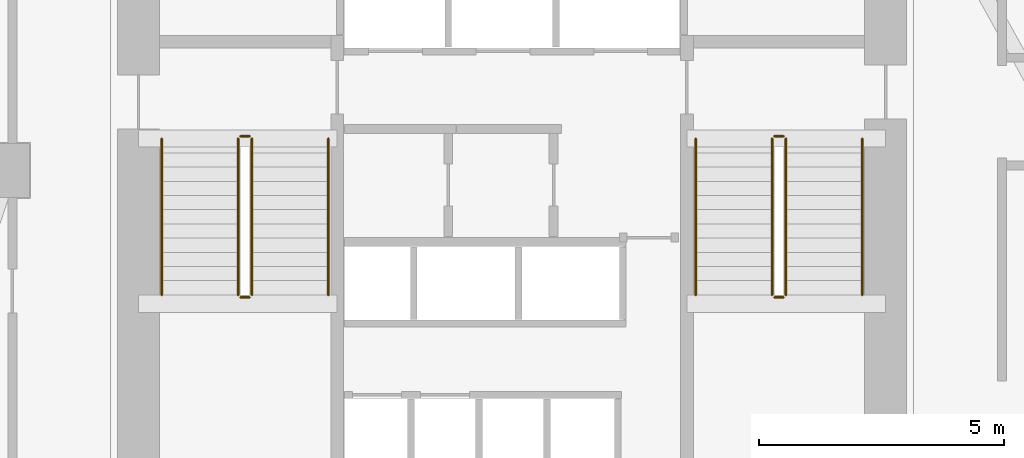
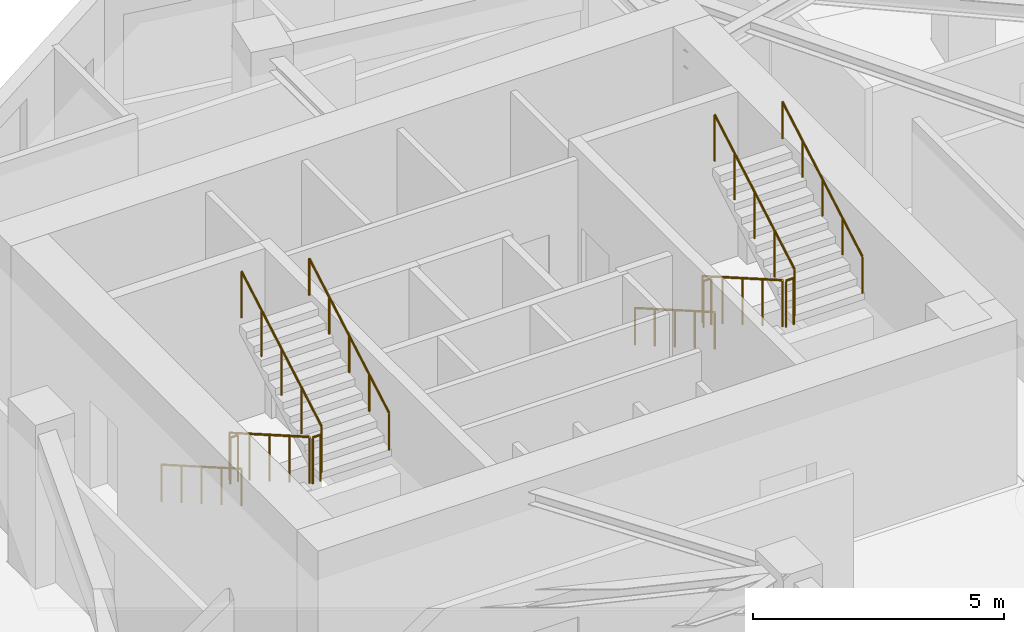
# One storey, part 9 of 9: 12 railings.
"""IFC4 building model written with IfcOpenShell, lengths in metres."""

from ifc_helpers import new_model, si_unit, direction, frame, origin, origin_2d, place, context, subcontext, project, spatial, circle, extrude, material, type_object, element, save


model = new_model("IFC4")

# Units and contexts
model_context = context("Model", 3, precision=1e-05, world=origin(), true_north=direction((0.0, 1.0)))
body_context = subcontext(model_context, "Body", "Model", "MODEL_VIEW")
ifc_project = project(units=[si_unit("LENGTHUNIT", "METRE"), si_unit("AREAUNIT", "SQUARE_METRE"), si_unit("VOLUMEUNIT", "CUBIC_METRE"), si_unit("PLANEANGLEUNIT", "RADIAN"), si_unit("MASSUNIT", "GRAM", prefix="KILO")], contexts=[model_context])

# Site, building, storey
site_placement = place(None, origin())
site = spatial("IfcSite", under=ifc_project, at=site_placement, CompositionType="ELEMENT")
building_placement = place(site_placement, origin())
building = spatial("IfcBuilding", under=site, at=building_placement, Name="Calvemar Wedge Station Tower", CompositionType="ELEMENT")
storey_placement = place(building_placement, frame((0.0, 0.0, 71.0)))
storey = spatial("IfcBuildingStorey", under=building, at=storey_placement, Name="L17", CompositionType="ELEMENT", Elevation=71.0)

# Railings
ifc_material_1 = material(Name="Stainless steel AISI 316L", Category="steel")
railing_type_1 = type_object("IfcRailingType", Name="RL-HANDRAIL-920", PredefinedType="HANDRAIL", material=ifc_material_1)
railing_1_placement = place(storey_placement, frame((16.64990234375, 41.14990234375, 0.166748046875)))
element("IfcRailing", 1, at=railing_1_placement, inside=storey, type_object=railing_type_1, Name="L17 ST-C1 stair handrail 1", PredefinedType="HANDRAIL", context=body_context, shape_type="SweptSolid", body=[
    extrude(circle(Radius=0.02392578125, at=origin_2d()), frame((0.0, 0.0, 0.89599609375), z_axis=(0.0, -0.867019545617, 0.498274128887), x_axis=(1.0, 0.0, 0.0)), (0.0, 0.0, 1.0), 3.67919921875),
    extrude(circle(Radius=0.02099609375, at=origin_2d()), origin(), (0.0, 0.0, 1.0), 0.871826171875),
    extrude(circle(Radius=0.02099609375, at=origin_2d()), frame((0.0, -0.79736328125, 0.458251953125)), (0.0, 0.0, 1.0), 0.871826171875),
    extrude(circle(Radius=0.02099609375, at=origin_2d()), frame((0.0, -1.594970703125, 0.91650390625)), (0.0, 0.0, 1.0), 0.871826171875),
    extrude(circle(Radius=0.02099609375, at=origin_2d()), frame((0.0, -2.392578125, 1.375)), (0.0, 0.0, 1.0), 0.871826171875),
    extrude(circle(Radius=0.02099609375, at=origin_2d()), frame((0.0, -3.18994140625, 1.833251953125)), (0.0, 0.0, 1.0), 0.871826171875),
])
railing_2_placement = place(storey_placement, frame((20.050048828125, 37.9599609375, 2.166748046875)))
element("IfcRailing", 2, at=railing_2_placement, inside=storey, type_object=railing_type_1, Name="L17 ST-C1 stair handrail 2", PredefinedType="HANDRAIL", context=body_context, shape_type="SweptSolid", body=[
    extrude(circle(Radius=0.02392578125, at=origin_2d()), frame((0.0, 0.0, 0.89599609375), z_axis=(0.0, 0.867019545617, 0.498274128887), x_axis=(-1.0, 0.0, 0.0)), (0.0, 0.0, 1.0), 3.67919921875),
    extrude(circle(Radius=0.02099609375, at=origin_2d()), origin(), (0.0, 0.0, 1.0), 0.871826171875),
    extrude(circle(Radius=0.02099609375, at=origin_2d()), frame((0.0, 0.79736328125, 0.458251953125)), (0.0, 0.0, 1.0), 0.871826171875),
    extrude(circle(Radius=0.02099609375, at=origin_2d()), frame((0.0, 1.594970703125, 0.91650390625)), (0.0, 0.0, 1.0), 0.871826171875),
    extrude(circle(Radius=0.02099609375, at=origin_2d()), frame((0.0, 2.392578125, 1.375)), (0.0, 0.0, 1.0), 0.871826171875),
    extrude(circle(Radius=0.02099609375, at=origin_2d()), frame((0.0, 3.18994140625, 1.833251953125)), (0.0, 0.0, 1.0), 0.871826171875),
])
railing_3_placement = place(storey_placement, frame((27.550048828125, 41.14990234375, 0.166748046875)))
element("IfcRailing", 3, at=railing_3_placement, inside=storey, type_object=railing_type_1, Name="L17 ST-C2 stair handrail 1", PredefinedType="HANDRAIL", context=body_context, shape_type="SweptSolid", body=[
    extrude(circle(Radius=0.02392578125, at=origin_2d()), frame((0.0, 0.0, 0.89599609375), z_axis=(0.0, -0.867019545617, 0.498274128887), x_axis=(1.0, 0.0, 0.0)), (0.0, 0.0, 1.0), 3.67919921875),
    extrude(circle(Radius=0.02099609375, at=origin_2d()), origin(), (0.0, 0.0, 1.0), 0.871826171875),
    extrude(circle(Radius=0.02099609375, at=origin_2d()), frame((0.0, -0.79736328125, 0.458251953125)), (0.0, 0.0, 1.0), 0.871826171875),
    extrude(circle(Radius=0.02099609375, at=origin_2d()), frame((0.0, -1.594970703125, 0.91650390625)), (0.0, 0.0, 1.0), 0.871826171875),
    extrude(circle(Radius=0.02099609375, at=origin_2d()), frame((0.0, -2.392578125, 1.375)), (0.0, 0.0, 1.0), 0.871826171875),
    extrude(circle(Radius=0.02099609375, at=origin_2d()), frame((0.0, -3.18994140625, 1.833251953125)), (0.0, 0.0, 1.0), 0.871826171875),
])
railing_4_placement = place(storey_placement, frame((30.949951171875, 37.9599609375, 2.166748046875)))
element("IfcRailing", 4, at=railing_4_placement, inside=storey, type_object=railing_type_1, Name="L17 ST-C2 stair handrail 2", PredefinedType="HANDRAIL", context=body_context, shape_type="SweptSolid", body=[
    extrude(circle(Radius=0.02392578125, at=origin_2d()), frame((0.0, 0.0, 0.89599609375), z_axis=(0.0, 0.867019545617, 0.498274128887), x_axis=(-1.0, 0.0, 0.0)), (0.0, 0.0, 1.0), 3.67919921875),
    extrude(circle(Radius=0.02099609375, at=origin_2d()), origin(), (0.0, 0.0, 1.0), 0.871826171875),
    extrude(circle(Radius=0.02099609375, at=origin_2d()), frame((0.0, 0.79736328125, 0.458251953125)), (0.0, 0.0, 1.0), 0.871826171875),
    extrude(circle(Radius=0.02099609375, at=origin_2d()), frame((0.0, 1.594970703125, 0.91650390625)), (0.0, 0.0, 1.0), 0.871826171875),
    extrude(circle(Radius=0.02099609375, at=origin_2d()), frame((0.0, 2.392578125, 1.375)), (0.0, 0.0, 1.0), 0.871826171875),
    extrude(circle(Radius=0.02099609375, at=origin_2d()), frame((0.0, 3.18994140625, 1.833251953125)), (0.0, 0.0, 1.0), 0.871826171875),
])
ifc_material_2 = material(Name="Painted steel guardrail ASTM A500 Grade C", Category="steel")
railing_type_2 = type_object("IfcRailingType", Name="RL-STAIR-GUARD-1150", PredefinedType="GUARDRAIL", material=ifc_material_2)
railing_5_placement = place(storey_placement, frame((18.2099609375, 41.14990234375, 0.166748046875)))
element("IfcRailing", 5, at=railing_5_placement, inside=storey, type_object=railing_type_2, Name="L17 ST-C1 stair guard 1", PredefinedType="GUARDRAIL", context=body_context, shape_type="SweptSolid", body=[
    extrude(circle(Radius=0.02392578125, at=origin_2d()), frame((0.0, 0.0, 1.1259765625), z_axis=(0.0, -0.867019545617, 0.498274128887), x_axis=(1.0, 0.0, 0.0)), (0.0, 0.0, 1.0), 3.67919921875),
    extrude(circle(Radius=0.02099609375, at=origin_2d()), origin(), (0.0, 0.0, 1.0), 1.101806640625),
    extrude(circle(Radius=0.02099609375, at=origin_2d()), frame((0.0, -0.79736328125, 0.458251953125)), (0.0, 0.0, 1.0), 1.101806640625),
    extrude(circle(Radius=0.02099609375, at=origin_2d()), frame((0.0, -1.594970703125, 0.91650390625)), (0.0, 0.0, 1.0), 1.101806640625),
    extrude(circle(Radius=0.02099609375, at=origin_2d()), frame((0.0, -2.392578125, 1.375)), (0.0, 0.0, 1.0), 1.101806640625),
    extrude(circle(Radius=0.02099609375, at=origin_2d()), frame((0.0, -3.18994140625, 1.833251953125)), (0.0, 0.0, 1.0), 1.101806640625),
])
railing_6_placement = place(storey_placement, frame((18.260009765625, 37.909912109375, 2.0)))
element("IfcRailing", 6, at=railing_6_placement, inside=storey, type_object=railing_type_2, Name="L17 ST-C1 stair guard 2", PredefinedType="GUARDRAIL", context=body_context, shape_type="SweptSolid", body=[
    extrude(circle(Radius=0.02392578125, at=origin_2d()), frame((0.0, 0.0, 1.1259765625), z_axis=(1.0, 0.0, 0.0), x_axis=(0.0, 1.0, 0.0)), (0.0, 0.0, 1.0), 0.179931640625),
    extrude(circle(Radius=0.02099609375, at=origin_2d()), origin(), (0.0, 0.0, 1.0), 1.101806640625),
    extrude(circle(Radius=0.02099609375, at=origin_2d()), frame((0.179931640625, 0.0, 0.0)), (0.0, 0.0, 1.0), 1.101806640625),
])
railing_7_placement = place(storey_placement, frame((18.489990234375, 37.9599609375, 2.166748046875)))
element("IfcRailing", 7, at=railing_7_placement, inside=storey, type_object=railing_type_2, Name="L17 ST-C1 stair guard 3", PredefinedType="GUARDRAIL", context=body_context, shape_type="SweptSolid", body=[
    extrude(circle(Radius=0.02392578125, at=origin_2d()), frame((0.0, 0.0, 1.1259765625), z_axis=(0.0, 0.867019545617, 0.498274128887), x_axis=(-1.0, 0.0, 0.0)), (0.0, 0.0, 1.0), 3.67919921875),
    extrude(circle(Radius=0.02099609375, at=origin_2d()), origin(), (0.0, 0.0, 1.0), 1.101806640625),
    extrude(circle(Radius=0.02099609375, at=origin_2d()), frame((0.0, 0.79736328125, 0.458251953125)), (0.0, 0.0, 1.0), 1.101806640625),
    extrude(circle(Radius=0.02099609375, at=origin_2d()), frame((0.0, 1.594970703125, 0.91650390625)), (0.0, 0.0, 1.0), 1.101806640625),
    extrude(circle(Radius=0.02099609375, at=origin_2d()), frame((0.0, 2.392578125, 1.375)), (0.0, 0.0, 1.0), 1.101806640625),
    extrude(circle(Radius=0.02099609375, at=origin_2d()), frame((0.0, 3.18994140625, 1.833251953125)), (0.0, 0.0, 1.0), 1.101806640625),
])
railing_8_placement = place(storey_placement, frame((18.260009765625, 41.199951171875, 0.0)))
element("IfcRailing", 8, at=railing_8_placement, inside=storey, type_object=railing_type_2, Name="L17 ST-C1 stair guard 4", PredefinedType="GUARDRAIL", context=body_context, shape_type="SweptSolid", body=[
    extrude(circle(Radius=0.02392578125, at=origin_2d()), frame((0.0, 0.0, 1.1259765625), z_axis=(1.0, 0.0, 0.0), x_axis=(0.0, 1.0, 0.0)), (0.0, 0.0, 1.0), 0.179931640625),
    extrude(circle(Radius=0.02099609375, at=origin_2d()), origin(), (0.0, 0.0, 1.0), 1.101806640625),
    extrude(circle(Radius=0.02099609375, at=origin_2d()), frame((0.179931640625, 0.0, 0.0)), (0.0, 0.0, 1.0), 1.101806640625),
])
railing_9_placement = place(storey_placement, frame((29.110107421875, 41.14990234375, 0.166748046875)))
element("IfcRailing", 9, at=railing_9_placement, inside=storey, type_object=railing_type_2, Name="L17 ST-C2 stair guard 1", PredefinedType="GUARDRAIL", context=body_context, shape_type="SweptSolid", body=[
    extrude(circle(Radius=0.02392578125, at=origin_2d()), frame((0.0, 0.0, 1.1259765625), z_axis=(0.0, -0.867019545617, 0.498274128887), x_axis=(1.0, 0.0, 0.0)), (0.0, 0.0, 1.0), 3.67919921875),
    extrude(circle(Radius=0.02099609375, at=origin_2d()), origin(), (0.0, 0.0, 1.0), 1.101806640625),
    extrude(circle(Radius=0.02099609375, at=origin_2d()), frame((0.0, -0.79736328125, 0.458251953125)), (0.0, 0.0, 1.0), 1.101806640625),
    extrude(circle(Radius=0.02099609375, at=origin_2d()), frame((0.0, -1.594970703125, 0.91650390625)), (0.0, 0.0, 1.0), 1.101806640625),
    extrude(circle(Radius=0.02099609375, at=origin_2d()), frame((0.0, -2.392578125, 1.375)), (0.0, 0.0, 1.0), 1.101806640625),
    extrude(circle(Radius=0.02099609375, at=origin_2d()), frame((0.0, -3.18994140625, 1.833251953125)), (0.0, 0.0, 1.0), 1.101806640625),
])
railing_10_placement = place(storey_placement, frame((29.159912109375, 37.909912109375, 2.0)))
element("IfcRailing", 10, at=railing_10_placement, inside=storey, type_object=railing_type_2, Name="L17 ST-C2 stair guard 2", PredefinedType="GUARDRAIL", context=body_context, shape_type="SweptSolid", body=[
    extrude(circle(Radius=0.02392578125, at=origin_2d()), frame((0.0, 0.0, 1.1259765625), z_axis=(1.0, 0.0, 0.0), x_axis=(0.0, 1.0, 0.0)), (0.0, 0.0, 1.0), 0.18017578125),
    extrude(circle(Radius=0.02099609375, at=origin_2d()), origin(), (0.0, 0.0, 1.0), 1.101806640625),
    extrude(circle(Radius=0.02099609375, at=origin_2d()), frame((0.18017578125, 0.0, 0.0)), (0.0, 0.0, 1.0), 1.101806640625),
])
railing_11_placement = place(storey_placement, frame((29.389892578125, 37.9599609375, 2.166748046875)))
element("IfcRailing", 11, at=railing_11_placement, inside=storey, type_object=railing_type_2, Name="L17 ST-C2 stair guard 3", PredefinedType="GUARDRAIL", context=body_context, shape_type="SweptSolid", body=[
    extrude(circle(Radius=0.02392578125, at=origin_2d()), frame((0.0, 0.0, 1.1259765625), z_axis=(0.0, 0.867019545617, 0.498274128887), x_axis=(-1.0, 0.0, 0.0)), (0.0, 0.0, 1.0), 3.67919921875),
    extrude(circle(Radius=0.02099609375, at=origin_2d()), origin(), (0.0, 0.0, 1.0), 1.101806640625),
    extrude(circle(Radius=0.02099609375, at=origin_2d()), frame((0.0, 0.79736328125, 0.458251953125)), (0.0, 0.0, 1.0), 1.101806640625),
    extrude(circle(Radius=0.02099609375, at=origin_2d()), frame((0.0, 1.594970703125, 0.91650390625)), (0.0, 0.0, 1.0), 1.101806640625),
    extrude(circle(Radius=0.02099609375, at=origin_2d()), frame((0.0, 2.392578125, 1.375)), (0.0, 0.0, 1.0), 1.101806640625),
    extrude(circle(Radius=0.02099609375, at=origin_2d()), frame((0.0, 3.18994140625, 1.833251953125)), (0.0, 0.0, 1.0), 1.101806640625),
])
railing_12_placement = place(storey_placement, frame((29.159912109375, 41.199951171875, 0.0)))
element("IfcRailing", 12, at=railing_12_placement, inside=storey, type_object=railing_type_2, Name="L17 ST-C2 stair guard 4", PredefinedType="GUARDRAIL", context=body_context, shape_type="SweptSolid", body=[
    extrude(circle(Radius=0.02392578125, at=origin_2d()), frame((0.0, 0.0, 1.1259765625), z_axis=(1.0, 0.0, 0.0), x_axis=(0.0, 1.0, 0.0)), (0.0, 0.0, 1.0), 0.18017578125),
    extrude(circle(Radius=0.02099609375, at=origin_2d()), origin(), (0.0, 0.0, 1.0), 1.101806640625),
    extrude(circle(Radius=0.02099609375, at=origin_2d()), frame((0.18017578125, 0.0, 0.0)), (0.0, 0.0, 1.0), 1.101806640625),
])

save(model, "model.ifc")
